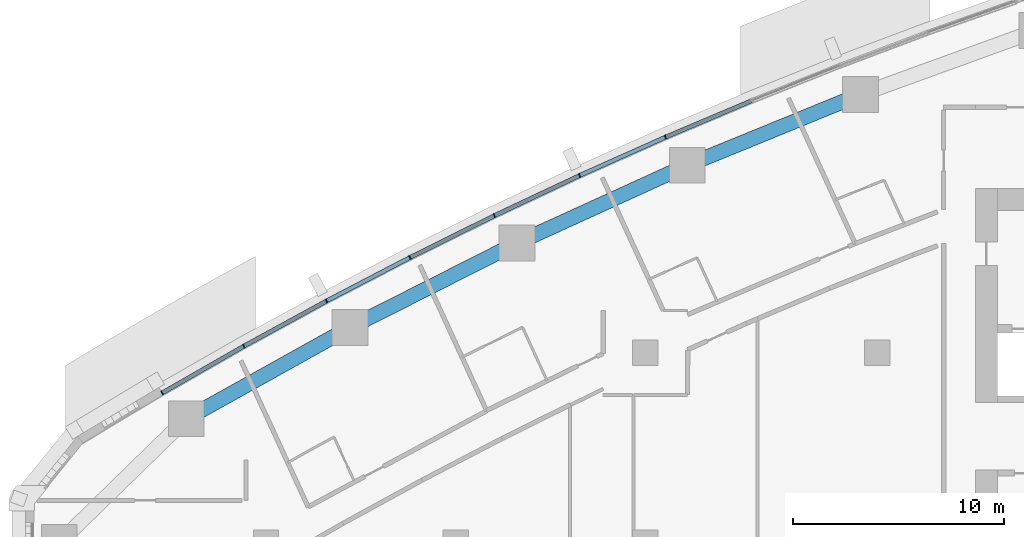
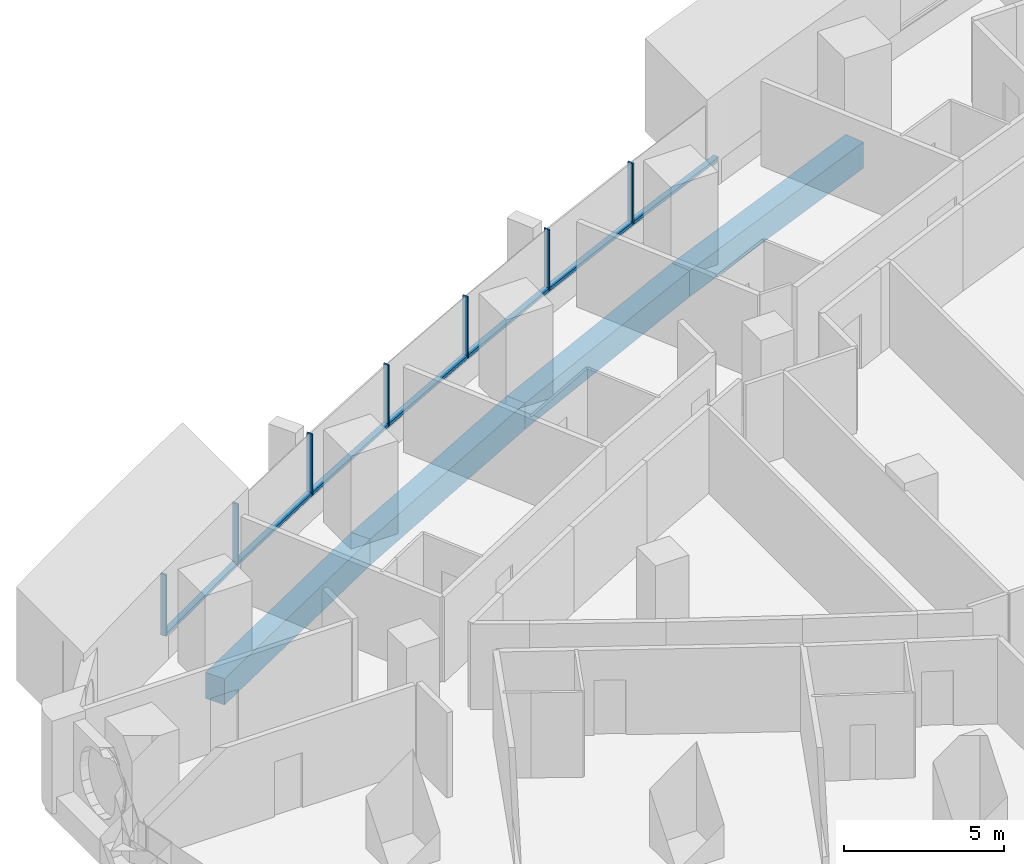
# One storey, part 5 of 17: 14 members, 4 beams, 4 elements without a shape of their own.
"""IFC4 building model written with IfcOpenShell, lengths in metres."""

from ifc_helpers import new_model, si_unit, direction, frame, origin, origin_2d, place, context, subcontext, project, spatial, rectangle, extrude, material, layer, layer_set, material_profile, profile_set, type_object, element, aggregate, save


model = new_model("IFC4")

# Units and contexts
model_context = context("Model", 3, precision=1e-05, world=origin(), true_north=direction((0.0, 1.0)))
body_context = subcontext(model_context, "Body", "Model", "MODEL_VIEW")
ifc_project = project(units=[si_unit("LENGTHUNIT", "METRE"), si_unit("AREAUNIT", "SQUARE_METRE"), si_unit("VOLUMEUNIT", "CUBIC_METRE"), si_unit("PLANEANGLEUNIT", "RADIAN"), si_unit("MASSUNIT", "GRAM", prefix="KILO")], contexts=[model_context])

# Site, building, storey
site_placement = place(None, origin())
site = spatial("IfcSite", under=ifc_project, at=site_placement, CompositionType="ELEMENT")
building_placement = place(site_placement, origin())
building = spatial("IfcBuilding", under=site, at=building_placement, Name="Ostrand Prow Hotel Tower", CompositionType="ELEMENT")
storey_placement = place(building_placement, frame((0.0, 0.0, 92.0)))
storey = spatial("IfcBuildingStorey", under=building, at=storey_placement, Name="L21", CompositionType="ELEMENT", Elevation=92.0)

# Beams
ifc_material_1 = material(Name="Concrete C80/95", Category="concrete")
ifc_material_profile_1 = material_profile(ifc_material_1, rectangle(XDim=0.699951171875, YDim=1.0, at=origin_2d()), Name="RC 700x1000")
ifc_profile_set_1 = profile_set([ifc_material_profile_1], Name="Concrete C80/95")
beam_type = type_object("IfcBeamType", Name="Edge beam 700x1000 C80/95", PredefinedType="SPANDREL", material=ifc_profile_set_1)
beam_1_placement = place(storey_placement, frame((44.210693359375, 21.263671875, -0.800048828125), z_axis=(-0.925612172894, -0.378473387955, 0.0), x_axis=(0.378473387955, -0.925612172894, 0.0)))
element("IfcBeam", 1, at=beam_1_placement, inside=storey, type_object=beam_type, Name="Edge beam N2-N3", PredefinedType="SPANDREL", context=body_context, shape_type="SweptSolid", body=[
    extrude(rectangle(XDim=0.699951171875, YDim=1.0, at=origin_2d()), origin(), (0.0, 0.0, 1.0), 8.88330078125),
])
beam_2_placement = place(storey_placement, frame((35.98828125, 17.901611328125, -0.800048828125), z_axis=(-0.909681006953, -0.415307675813, 0.0), x_axis=(0.415307675813, -0.909681006953, 0.0)))
element("IfcBeam", 2, at=beam_2_placement, inside=storey, type_object=beam_type, Name="Edge beam N3-N4", PredefinedType="SPANDREL", context=body_context, shape_type="SweptSolid", body=[
    extrude(rectangle(XDim=0.699951171875, YDim=1.0, at=origin_2d()), origin(), (0.0, 0.0, 1.0), 8.883544921875),
])
beam_3_placement = place(storey_placement, frame((27.906982421875, 14.212158203125, -0.800048828125), z_axis=(-0.892284288592, -0.451473973039, 0.0), x_axis=(0.451473973039, -0.892284288592, 0.0)))
element("IfcBeam", 3, at=beam_3_placement, inside=storey, type_object=beam_type, Name="Edge beam N4-N5", PredefinedType="SPANDREL", context=body_context, shape_type="SweptSolid", body=[
    extrude(rectangle(XDim=0.699951171875, YDim=1.0, at=origin_2d()), origin(), (0.0, 0.0, 1.0), 8.883056640625),
])
beam_4_placement = place(storey_placement, frame((19.980712890625, 10.20166015625, -0.800048828125), z_axis=(-0.873452439955, -0.486909473245, 0.0), x_axis=(0.486909473245, -0.873452439955, 0.0)))
element("IfcBeam", 4, at=beam_4_placement, inside=storey, type_object=beam_type, Name="Edge beam N5-N6", PredefinedType="SPANDREL", context=body_context, shape_type="SweptSolid", body=[
    extrude(rectangle(XDim=0.699951171875, YDim=1.0, at=origin_2d()), origin(), (0.0, 0.0, 1.0), 8.883544921875),
])

# Curtain wall, member
ifc_material_2 = material(Name="Insulated glass in bronze anodised frame", Category="glass")
ifc_layer = layer(ifc_material_2, 0.199951171875)
ifc_layer_set = layer_set([ifc_layer], Name="Insulated glass in bronze anodised frame")
curtain_wall_type = type_object("IfcCurtainWallType", Name="Strip curtain wall, fritted glass over bronze spandrel", PredefinedType="NOTDEFINED", material=ifc_layer_set)
curtain_wall_1_placement = place(storey_placement, origin())
curtain_wall_1 = element("IfcCurtainWall", 5, at=curtain_wall_1_placement, inside=storey, type_object=curtain_wall_type, Name="CW1 run CWN2", PredefinedType="NOTDEFINED")
ifc_material_3 = material(Name="Bronze anodised aluminium", Category="aluminium")
ifc_material_profile_2 = material_profile(ifc_material_3, rectangle(XDim=0.199951171875, YDim=0.06005859375, at=origin_2d()), Name="Mullion 60x200 bronze anodised aluminium")
ifc_profile_set_2 = profile_set([ifc_material_profile_2], Name="Bronze anodised aluminium")
member_type_1 = type_object("IfcMemberType", Name="Mullion 60x200 bronze anodised aluminium", PredefinedType="MULLION", material=ifc_profile_set_2)
member_1_placement = place(storey_placement, frame((34.95068359375, 19.233154296875, 0.89990234375), z_axis=(0.0, 0.0, 1.0), x_axis=(0.389506566255, -0.921023688536, 0.0)))
member_1 = element("IfcMember", 6, at=member_1_placement, type_object=member_type_1, Name="CW1 mullion 3", PredefinedType="MULLION", context=body_context, shape_type="SweptSolid", body=[
    extrude(rectangle(XDim=0.199951171875, YDim=0.06005859375, at=origin_2d()), origin(), (0.0, 0.0, 1.0), 2.35009765625),
])

# Curtain wall, members
curtain_wall_2_placement = place(storey_placement, origin())
curtain_wall_2 = element("IfcCurtainWall", 7, at=curtain_wall_2_placement, inside=storey, type_object=curtain_wall_type, Name="CW1 run CWN3", PredefinedType="NOTDEFINED")
member_2_placement = place(storey_placement, frame((30.872802734375, 17.41162109375, 0.89990234375), z_axis=(0.0, 0.0, 1.0), x_axis=(0.426079320162, -0.904685808958, 0.0)))
member_2 = element("IfcMember", 8, at=member_2_placement, type_object=member_type_1, Name="CW1 mullion 2", PredefinedType="MULLION", context=body_context, shape_type="SweptSolid", body=[
    extrude(rectangle(XDim=0.199951171875, YDim=0.06005859375, at=origin_2d()), origin(), (0.0, 0.0, 1.0), 2.35009765625),
])
member_3_placement = place(storey_placement, frame((26.83251953125, 15.508544921875, 0.89990234375), z_axis=(0.0, 0.0, 1.0), x_axis=(0.426079320162, -0.904685808958, 0.0)))
member_3 = element("IfcMember", 9, at=member_3_placement, type_object=member_type_1, Name="CW1 mullion 3", PredefinedType="MULLION", context=body_context, shape_type="SweptSolid", body=[
    extrude(rectangle(XDim=0.199951171875, YDim=0.06005859375, at=origin_2d()), origin(), (0.0, 0.0, 1.0), 2.35009765625),
])

curtain_wall_3_placement = place(storey_placement, origin())
curtain_wall_3 = element("IfcCurtainWall", 10, at=curtain_wall_3_placement, inside=storey, type_object=curtain_wall_type, Name="CW1 run CWN4", PredefinedType="NOTDEFINED")
member_4_placement = place(storey_placement, frame((22.831298828125, 13.525146484375, 0.89990234375), z_axis=(0.0, 0.0, 1.0), x_axis=(0.461968432937, -0.886896367661, 0.0)))
member_4 = element("IfcMember", 11, at=member_4_placement, type_object=member_type_1, Name="CW1 mullion 2", PredefinedType="MULLION", context=body_context, shape_type="SweptSolid", body=[
    extrude(rectangle(XDim=0.199951171875, YDim=0.06005859375, at=origin_2d()), origin(), (0.0, 0.0, 1.0), 2.35009765625),
])
member_5_placement = place(storey_placement, frame((18.870361328125, 11.4619140625, 0.89990234375), z_axis=(0.0, 0.0, 1.0), x_axis=(0.461968432937, -0.886896367661, 0.0)))
member_5 = element("IfcMember", 12, at=member_5_placement, type_object=member_type_1, Name="CW1 mullion 3", PredefinedType="MULLION", context=body_context, shape_type="SweptSolid", body=[
    extrude(rectangle(XDim=0.199951171875, YDim=0.06005859375, at=origin_2d()), origin(), (0.0, 0.0, 1.0), 2.35009765625),
])

curtain_wall_4_placement = place(storey_placement, origin())
curtain_wall_4 = element("IfcCurtainWall", 13, at=curtain_wall_4_placement, inside=storey, type_object=curtain_wall_type, Name="CW1 run CWN5", PredefinedType="NOTDEFINED")
member_6_placement = place(storey_placement, frame((14.951416015625, 9.320068359375, 0.89990234375), z_axis=(0.0, 0.0, 1.0), x_axis=(0.497114806368, -0.867684775301, 0.0)))
member_6 = element("IfcMember", 14, at=member_6_placement, type_object=member_type_1, Name="CW1 mullion 2", PredefinedType="MULLION", context=body_context, shape_type="SweptSolid", body=[
    extrude(rectangle(XDim=0.199951171875, YDim=0.06005859375, at=origin_2d()), origin(), (0.0, 0.0, 1.0), 2.35009765625),
])
member_7_placement = place(storey_placement, frame((11.076416015625, 7.099853515625, 0.89990234375), z_axis=(0.0, 0.0, 1.0), x_axis=(0.497114806368, -0.867684775301, 0.0)))
member_7 = element("IfcMember", 15, at=member_7_placement, type_object=member_type_1, Name="CW1 mullion 3", PredefinedType="MULLION", context=body_context, shape_type="SweptSolid", body=[
    extrude(rectangle(XDim=0.199951171875, YDim=0.06005859375, at=origin_2d()), origin(), (0.0, 0.0, 1.0), 2.35009765625),
])

# Member
ifc_material_4 = material(Name="Bronze anodised aluminium", Category="aluminium")
ifc_material_profile_3 = material_profile(ifc_material_4, rectangle(XDim=0.199951171875, YDim=0.1201171875, at=origin_2d()), Name="Transom 120x200 bronze anodised aluminium")
ifc_profile_set_3 = profile_set([ifc_material_profile_3], Name="Bronze anodised aluminium")
member_type_2 = type_object("IfcMemberType", Name="Transom 120x200 bronze anodised aluminium", PredefinedType="USERDEFINED", material=ifc_profile_set_3)
member_8_placement = place(storey_placement, frame((39.0361328125, 20.9609375, 0.9599609375), z_axis=(-0.921006250528, -0.389547797438, 0.0), x_axis=(0.389547797438, -0.921006250528, 0.0)))
member_8 = element("IfcMember", 16, at=member_8_placement, type_object=member_type_2, Name="CW1 transom 2.1", ObjectType="TRANSOM", PredefinedType="USERDEFINED", context=body_context, shape_type="SweptSolid", body=[
    extrude(rectangle(XDim=0.199951171875, YDim=0.1201171875, at=origin_2d()), origin(), (0.0, 0.0, 1.0), 4.406005859375),
])

aggregate(curtain_wall_1, [member_1, member_8])

member_9_placement = place(storey_placement, frame((34.923095703125, 19.220703125, 0.9599609375), z_axis=(-0.913030665163, -0.407890922271, 0.0), x_axis=(0.407890922271, -0.913030665163, 0.0)))
member_9 = element("IfcMember", 17, at=member_9_placement, type_object=member_type_2, Name="CW1 transom 1.1", ObjectType="TRANSOM", PredefinedType="USERDEFINED", context=body_context, shape_type="SweptSolid", body=[
    extrude(rectangle(XDim=0.199951171875, YDim=0.1201171875, at=origin_2d()), origin(), (0.0, 0.0, 1.0), 4.40576171875),
])

member_10_placement = place(storey_placement, frame((30.845703125, 17.398681640625, 0.9599609375), z_axis=(-0.904696854963, -0.42605586561, 0.0), x_axis=(0.42605586561, -0.904696854963, 0.0)))
member_10 = element("IfcMember", 18, at=member_10_placement, type_object=member_type_2, Name="CW1 transom 2.1", ObjectType="TRANSOM", PredefinedType="USERDEFINED", context=body_context, shape_type="SweptSolid", body=[
    extrude(rectangle(XDim=0.199951171875, YDim=0.1201171875, at=origin_2d()), origin(), (0.0, 0.0, 1.0), 4.406005859375),
])

aggregate(curtain_wall_2, [member_2, member_3, member_9, member_10])

member_11_placement = place(storey_placement, frame((26.8056640625, 15.495361328125, 0.9599609375), z_axis=(-0.895962348168, -0.444130015497, 0.0), x_axis=(0.444130015497, -0.895962348168, 0.0)))
member_11 = element("IfcMember", 19, at=member_11_placement, type_object=member_type_2, Name="CW1 transom 1.1", ObjectType="TRANSOM", PredefinedType="USERDEFINED", context=body_context, shape_type="SweptSolid", body=[
    extrude(rectangle(XDim=0.199951171875, YDim=0.1201171875, at=origin_2d()), origin(), (0.0, 0.0, 1.0), 4.406005859375),
])

member_12_placement = place(storey_placement, frame((22.8046875, 13.51123046875, 0.9599609375), z_axis=(-0.886901787206, -0.461958028235, 0.0), x_axis=(0.461958028235, -0.886901787206, 0.0)))
member_12 = element("IfcMember", 20, at=member_12_placement, type_object=member_type_2, Name="CW1 transom 2.1", ObjectType="TRANSOM", PredefinedType="USERDEFINED", context=body_context, shape_type="SweptSolid", body=[
    extrude(rectangle(XDim=0.199951171875, YDim=0.1201171875, at=origin_2d()), origin(), (0.0, 0.0, 1.0), 4.406005859375),
])

aggregate(curtain_wall_3, [member_4, member_5, member_11, member_12])

member_13_placement = place(storey_placement, frame((18.843994140625, 11.44775390625, 0.9599609375), z_axis=(-0.877471714137, -0.479628388328, 0.0), x_axis=(0.479628388328, -0.877471714137, 0.0)))
member_13 = element("IfcMember", 21, at=member_13_placement, type_object=member_type_2, Name="CW1 transom 1.1", ObjectType="TRANSOM", PredefinedType="USERDEFINED", context=body_context, shape_type="SweptSolid", body=[
    extrude(rectangle(XDim=0.199951171875, YDim=0.1201171875, at=origin_2d()), origin(), (0.0, 0.0, 1.0), 4.406005859375),
])

member_14_placement = place(storey_placement, frame((14.925537109375, 9.30517578125, 0.9599609375), z_axis=(-0.86766970623, -0.497141107625, 0.0), x_axis=(0.497141107625, -0.86766970623, 0.0)))
member_14 = element("IfcMember", 22, at=member_14_placement, type_object=member_type_2, Name="CW1 transom 2.1", ObjectType="TRANSOM", PredefinedType="USERDEFINED", context=body_context, shape_type="SweptSolid", body=[
    extrude(rectangle(XDim=0.199951171875, YDim=0.1201171875, at=origin_2d()), origin(), (0.0, 0.0, 1.0), 4.406005859375),
])

aggregate(curtain_wall_4, [member_6, member_7, member_13, member_14])

save(model, "model.ifc")
